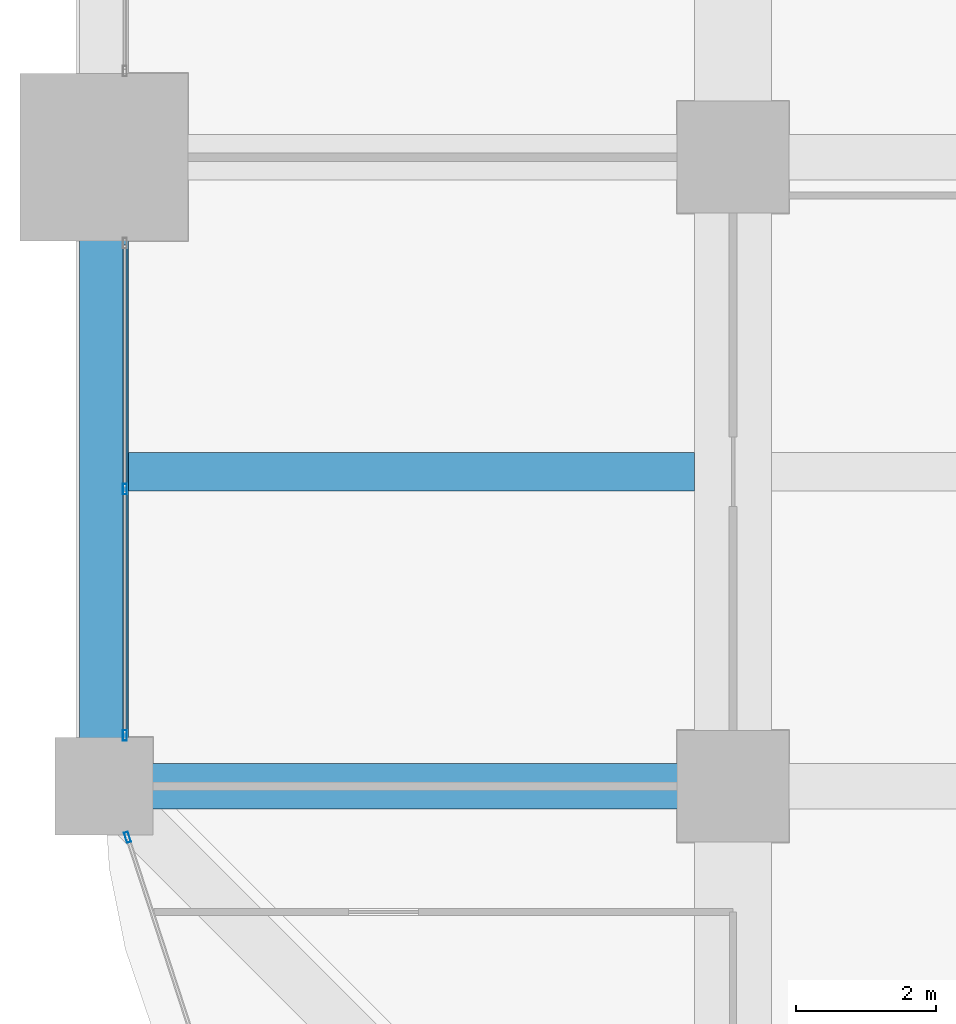
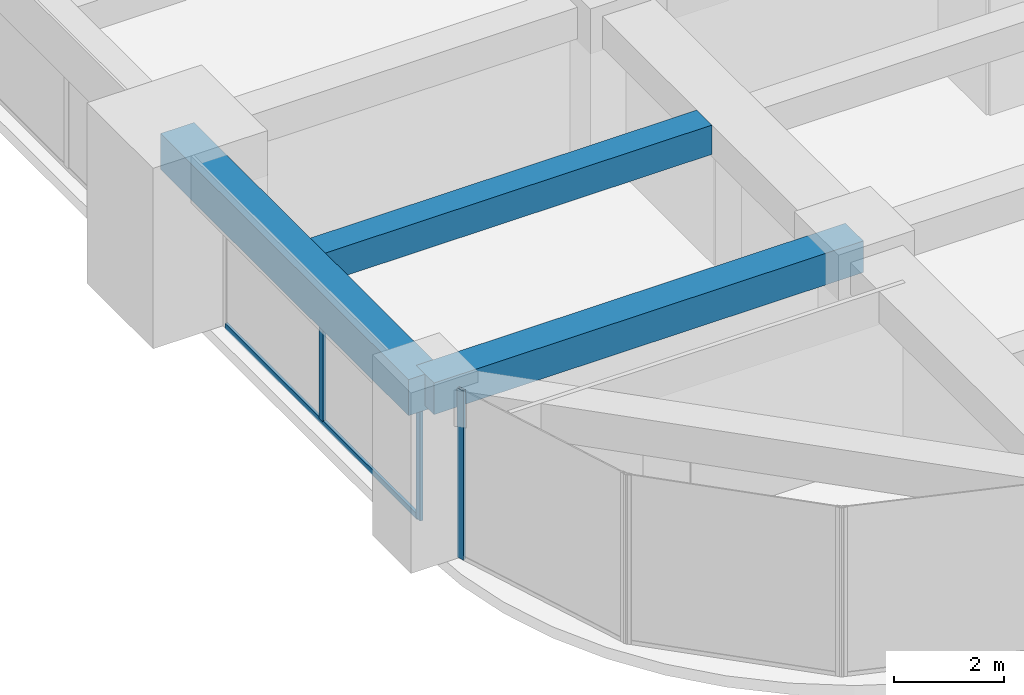
# One storey, part 4 of 32: 4 members, 3 beams, 2 elements without a shape of their own.
"""IFC4 building model written with IfcOpenShell, lengths in metres."""

from ifc_helpers import new_model, si_unit, direction, frame, origin, origin_2d, place, context, subcontext, project, spatial, rectangle, hollow_rectangle, extrude, material, material_profile, profile_set, type_object, element, aggregate, save


model = new_model("IFC4")

# Units and contexts
model_context = context("Model", 3, precision=1e-05, world=origin(), true_north=direction((0.0, 1.0)))
body_context = subcontext(model_context, "Body", "Model", "MODEL_VIEW")
ifc_project = project(units=[si_unit("LENGTHUNIT", "METRE"), si_unit("AREAUNIT", "SQUARE_METRE"), si_unit("VOLUMEUNIT", "CUBIC_METRE"), si_unit("PLANEANGLEUNIT", "RADIAN"), si_unit("MASSUNIT", "GRAM", prefix="KILO")], contexts=[model_context])

# Site, building, storey
site_placement = place(None, origin())
site = spatial("IfcSite", under=ifc_project, at=site_placement, CompositionType="ELEMENT")
building_placement = place(site_placement, origin())
building = spatial("IfcBuilding", under=site, at=building_placement, Name="Zorevar Civic Tower", CompositionType="ELEMENT")
storey_placement = place(building_placement, frame((0.0, 0.0, 186.199951171875)))
storey = spatial("IfcBuildingStorey", under=building, at=storey_placement, Name="L45", CompositionType="ELEMENT", Elevation=186.199951171875)

# Beams
ifc_material_1 = material(Name="Concrete C50/60", Category="concrete")
ifc_material_profile_1 = material_profile(ifc_material_1, rectangle(XDim=0.550048828125, YDim=0.64990234375, at=origin_2d()), Name="RC 550x650")
ifc_profile_set_1 = profile_set([ifc_material_profile_1], Name="Concrete C50/60")
beam_type_1 = type_object("IfcBeamType", Name="Beam RC 550x650", PredefinedType="BEAM", material=ifc_profile_set_1)
beam_1_placement = place(storey_placement, frame((0.35009765625, 13.5, 3.425048828125), z_axis=(1.0, 0.0, 0.0), x_axis=(0.0, 1.0, 0.0)))
element("IfcBeam", 1, at=beam_1_placement, inside=storey, type_object=beam_type_1, Name="Secondary beam L46", PredefinedType="BEAM", context=body_context, shape_type="SweptSolid", body=[
    extrude(rectangle(XDim=0.550048828125, YDim=0.64990234375, at=origin_2d()), origin(), (0.0, 0.0, 1.0), 8.099853515625),
])
ifc_material_2 = material(Name="Concrete C50/60", Category="concrete")
ifc_material_profile_2 = material_profile(ifc_material_2, rectangle(XDim=0.64990234375, YDim=0.699951171875, at=origin_2d()), Name="RC 650x700")
ifc_profile_set_2 = profile_set([ifc_material_profile_2], Name="Concrete C50/60")
beam_type_2 = type_object("IfcBeamType", Name="Beam RC 650x700", PredefinedType="BEAM", material=ifc_profile_set_2)
beam_2_placement = place(storey_placement, frame((0.0, 9.0, 3.400146484375), z_axis=(1.0, 0.0, 0.0), x_axis=(0.0, 1.0, 0.0)))
element("IfcBeam", 2, at=beam_2_placement, inside=storey, type_object=beam_type_2, Name="Girder L46", PredefinedType="BEAM", context=body_context, shape_type="SweptSolid", body=[
    extrude(rectangle(XDim=0.64990234375, YDim=0.699951171875, at=origin_2d()), origin(), (0.0, 0.0, 1.0), 9.0),
])

# Curtain wall, members
ifc_material_3 = material(Name="Dark grey solar-control glass in black aluminium frame", Category="aluminium")
curtain_wall_type = type_object("IfcCurtainWallType", Name="Curtain wall CW4 high zone", PredefinedType="NOTDEFINED", material=ifc_material_3)
curtain_wall_1_placement = place(storey_placement, origin())
curtain_wall_1 = element("IfcCurtainWall", 3, at=curtain_wall_1_placement, inside=storey, type_object=curtain_wall_type, Name="CW4 L45", PredefinedType="NOTDEFINED")
ifc_material_4 = material(Name="Aluminium, black anodised", Category="aluminium")
ifc_material_profile_3 = material_profile(ifc_material_4, hollow_rectangle(XDim=0.06005859375, YDim=0.14990234375, WallThickness=0.00390625, at=origin_2d()), Name="AL 150x60x4")
ifc_profile_set_3 = profile_set([ifc_material_profile_3], Name="Aluminium, black anodised")
member_type_1 = type_object("IfcMemberType", Name="CW4 mullion AL 150x60x4", PredefinedType="MULLION", material=ifc_profile_set_3)
member_1_placement = place(storey_placement, frame((0.300048828125, 9.72998046875, 0.0), z_axis=(0.0, 0.0, 1.0), x_axis=(-1.0, 0.0, 0.0)))
member_1 = element("IfcMember", 4, at=member_1_placement, type_object=member_type_1, Name="CW4 mullion 1", PredefinedType="MULLION", context=body_context, shape_type="SweptSolid", body=[
    extrude(hollow_rectangle(XDim=0.06005859375, YDim=0.14990234375, WallThickness=0.00390625, at=origin_2d()), origin(), (0.0, 0.0, 1.0), 2.949951171875),
])
member_2_placement = place(storey_placement, frame((0.300048828125, 13.25, 0.06005859375), z_axis=(0.0, 0.0, 1.0), x_axis=(-1.0, 0.0, 0.0)))
member_2 = element("IfcMember", 5, at=member_2_placement, type_object=member_type_1, Name="CW4 mullion 2", PredefinedType="MULLION", context=body_context, shape_type="SweptSolid", body=[
    extrude(hollow_rectangle(XDim=0.06005859375, YDim=0.14990234375, WallThickness=0.00390625, at=origin_2d()), origin(), (0.0, 0.0, 1.0), 2.889892578125),
])

# Curtain wall, member
curtain_wall_2_placement = place(storey_placement, origin())
curtain_wall_2 = element("IfcCurtainWall", 6, at=curtain_wall_2_placement, inside=storey, type_object=curtain_wall_type, Name="CW4 L45", PredefinedType="NOTDEFINED")
member_3_placement = place(storey_placement, frame((0.337646484375, 8.271484375, 0.0), z_axis=(0.0, 0.0, 1.0), x_axis=(0.950644749916, 0.310281419775, 0.0)))
member_3 = element("IfcMember", 7, at=member_3_placement, type_object=member_type_1, Name="CW4 mullion 1", PredefinedType="MULLION", context=body_context, shape_type="SweptSolid", body=[
    extrude(hollow_rectangle(XDim=0.06005859375, YDim=0.14990234375, WallThickness=0.00390625, at=origin_2d()), origin(), (0.0, 0.0, 1.0), 3.75),
])
aggregate(curtain_wall_2, [member_3])

# Member
ifc_material_5 = material(Name="Aluminium, black anodised", Category="aluminium")
ifc_material_profile_4 = material_profile(ifc_material_5, hollow_rectangle(XDim=0.06005859375, YDim=0.1201171875, WallThickness=0.0029296875, at=origin_2d()), Name="AL 120x60x3")
ifc_profile_set_4 = profile_set([ifc_material_profile_4], Name="Aluminium, black anodised")
member_type_2 = type_object("IfcMemberType", Name="CW4 transom AL 120x60x3", PredefinedType="USERDEFINED", material=ifc_profile_set_4)
member_4_placement = place(storey_placement, frame((0.300048828125, 9.760009765625, 0.030029296875), z_axis=(0.0, 1.0, 0.0), x_axis=(-1.0, 0.0, 0.0)))
member_4 = element("IfcMember", 8, at=member_4_placement, type_object=member_type_2, Name="CW4 sill transom", ObjectType="TRANSOM", PredefinedType="USERDEFINED", context=body_context, shape_type="SweptSolid", body=[
    extrude(hollow_rectangle(XDim=0.06005859375, YDim=0.1201171875, WallThickness=0.0029296875, at=origin_2d()), origin(), (0.0, 0.0, 1.0), 6.97998046875),
])

aggregate(curtain_wall_1, [member_1, member_2, member_4])

# Beam
ifc_material_6 = material(Name="Concrete C50/60", Category="concrete")
ifc_material_profile_5 = material_profile(ifc_material_6, rectangle(XDim=0.699951171875, YDim=0.800048828125, at=origin_2d()), Name="RC 700x800")
ifc_profile_set_5 = profile_set([ifc_material_profile_5], Name="Concrete C50/60")
beam_type_3 = type_object("IfcBeamType", Name="Edge beam RC 700x800", PredefinedType="SPANDREL", material=ifc_profile_set_5)
beam_3_placement = place(storey_placement, frame((0.0, 9.0, 3.35009765625), z_axis=(0.0, 1.0, 0.0), x_axis=(-1.0, 0.0, 0.0)))
element("IfcBeam", 9, at=beam_3_placement, inside=storey, type_object=beam_type_3, Name="Edge beam L46", PredefinedType="SPANDREL", context=body_context, shape_type="SweptSolid", body=[
    extrude(rectangle(XDim=0.699951171875, YDim=0.800048828125, at=origin_2d()), origin(), (0.0, 0.0, 1.0), 9.0),
])

save(model, "model.ifc")
